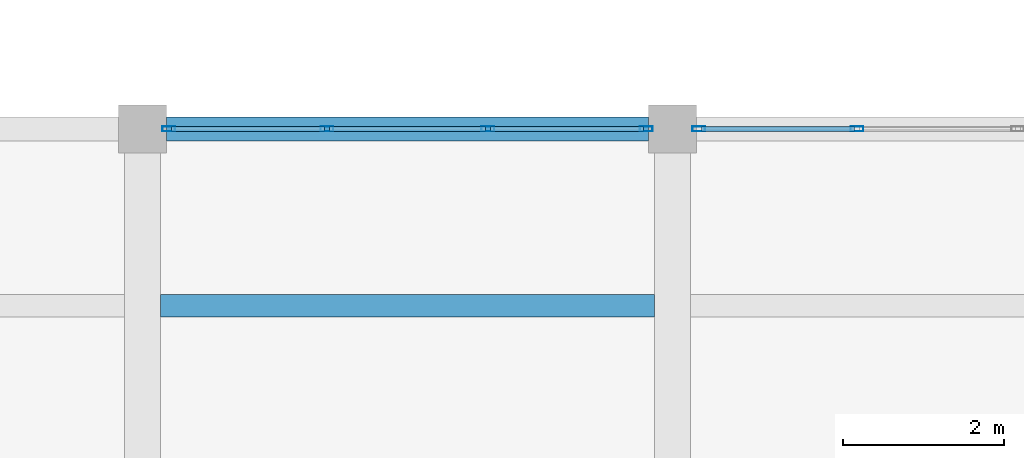
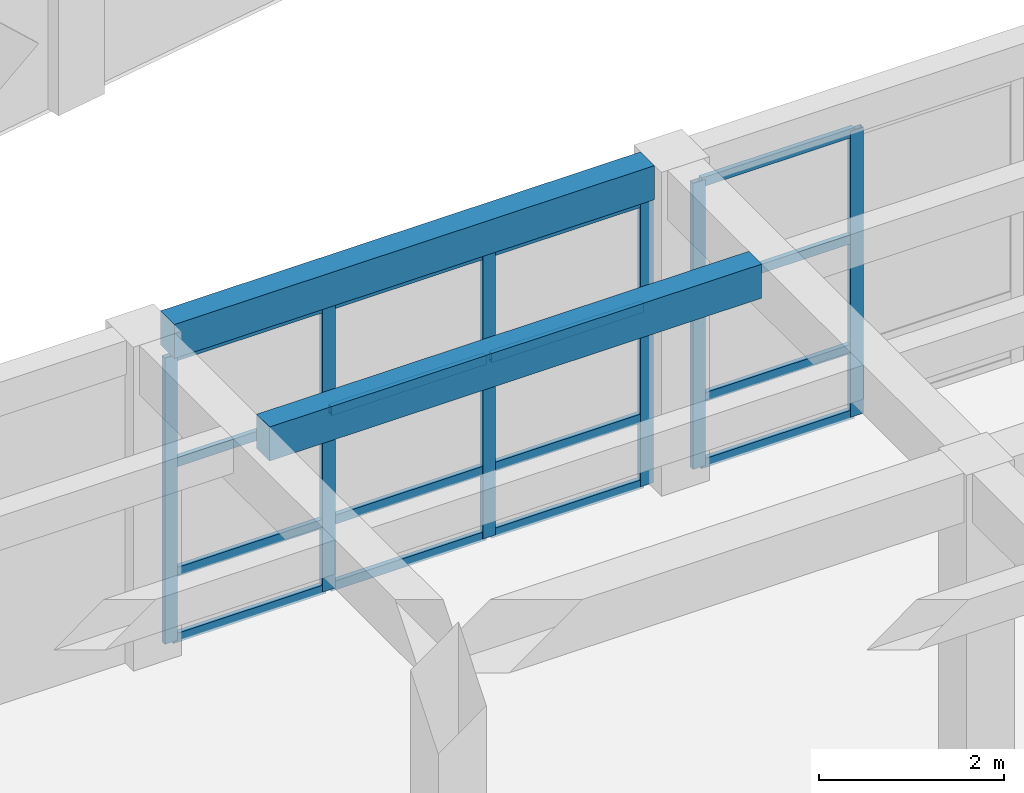
# One storey, part 6 of 67: 22 members, 2 beams, 2 elements without a shape of their own.
"""IFC4 building model written with IfcOpenShell, lengths in metres."""

from ifc_helpers import new_model, si_unit, direction, frame, origin, origin_2d, place, context, subcontext, project, spatial, rectangle, hollow_rectangle, extrude, material, layer, layer_set, material_profile, profile_set, type_object, element, aggregate, save


model = new_model("IFC4")

# Units and contexts
model_context = context("Model", 3, precision=1e-05, world=origin(), true_north=direction((0.0, 1.0)))
body_context = subcontext(model_context, "Body", "Model", "MODEL_VIEW")
ifc_project = project(units=[si_unit("LENGTHUNIT", "METRE"), si_unit("AREAUNIT", "SQUARE_METRE"), si_unit("VOLUMEUNIT", "CUBIC_METRE"), si_unit("PLANEANGLEUNIT", "RADIAN"), si_unit("MASSUNIT", "GRAM", prefix="KILO")], contexts=[model_context])

# Site, building, storey
site_placement = place(None, origin())
site = spatial("IfcSite", under=ifc_project, at=site_placement, CompositionType="ELEMENT")
building_placement = place(site_placement, origin())
building = spatial("IfcBuilding", under=site, at=building_placement, Name="Kharisveld Research Institute", CompositionType="ELEMENT")
storey_placement = place(building_placement, frame((0.0, 0.0, 9.60009765625)))
storey = spatial("IfcBuildingStorey", under=building, at=storey_placement, Name="L02", CompositionType="ELEMENT", Elevation=9.60009765625)

# Curtain wall, members
ifc_material_1 = material(Name="Thermally Broken Aluminium Curtain Wall", Category="aluminium")
ifc_layer_1 = layer(ifc_material_1, 0.159912109375)
ifc_layer_set_1 = layer_set([ifc_layer_1], Name="CW_SYS_05")
curtain_wall_type_1 = type_object("IfcCurtainWallType", Name="CW_SYS_05", PredefinedType="NOTDEFINED", material=ifc_layer_set_1)
curtain_wall_1_placement = place(storey_placement, origin())
curtain_wall_1 = element("IfcCurtainWall", 1, at=curtain_wall_1_placement, inside=storey, type_object=curtain_wall_type_1, Name="CW:V3:L02:N1", PredefinedType="NOTDEFINED")
ifc_material_2 = material(Name="Anodised Aluminium AW-6063-T6", Category="aluminium")
ifc_material_profile_1 = material_profile(ifc_material_2, hollow_rectangle(XDim=0.06494140625, YDim=0.159912109375, WallThickness=0.00390625, at=origin_2d()))
ifc_profile_set_1 = profile_set([ifc_material_profile_1], Name="Anodised Aluminium AW-6063-T6")
member_type_1 = type_object("IfcMemberType", Name="CW_MUL_160", PredefinedType="MULLION", material=ifc_profile_set_1)
member_1_placement = place(storey_placement, frame((7.527587890625, 26.60009765625, 0.0), z_axis=(0.0, 0.0, 1.0), x_axis=(0.0, 1.0, 0.0)))
member_1 = element("IfcMember", 2, at=member_1_placement, type_object=member_type_1, Name="CW-05 mullion 1", PredefinedType="MULLION", context=body_context, shape_type="SweptSolid", body=[
    extrude(hollow_rectangle(XDim=0.06494140625, YDim=0.159912109375, WallThickness=0.00390625, at=origin_2d()), origin(), (0.0, 0.0, 1.0), 3.77978515625),
])
member_2_placement = place(storey_placement, frame((9.498291015625, 26.60009765625, 0.0), z_axis=(0.0, 0.0, 1.0), x_axis=(0.0, 1.0, 0.0)))
member_2 = element("IfcMember", 3, at=member_2_placement, type_object=member_type_1, Name="CW-05 mullion 2", PredefinedType="MULLION", context=body_context, shape_type="SweptSolid", body=[
    extrude(hollow_rectangle(XDim=0.06494140625, YDim=0.159912109375, WallThickness=0.00390625, at=origin_2d()), origin(), (0.0, 0.0, 1.0), 3.77978515625),
])
member_3_placement = place(storey_placement, frame((11.501708984375, 26.60009765625, 0.0), z_axis=(0.0, 0.0, 1.0), x_axis=(0.0, 1.0, 0.0)))
member_3 = element("IfcMember", 4, at=member_3_placement, type_object=member_type_1, Name="CW-05 mullion 3", PredefinedType="MULLION", context=body_context, shape_type="SweptSolid", body=[
    extrude(hollow_rectangle(XDim=0.06494140625, YDim=0.159912109375, WallThickness=0.00390625, at=origin_2d()), origin(), (0.0, 0.0, 1.0), 3.77978515625),
])
member_4_placement = place(storey_placement, frame((13.472412109375, 26.60009765625, 0.0), z_axis=(0.0, 0.0, 1.0), x_axis=(0.0, 1.0, 0.0)))
member_4 = element("IfcMember", 5, at=member_4_placement, type_object=member_type_1, Name="CW-05 mullion 4", PredefinedType="MULLION", context=body_context, shape_type="SweptSolid", body=[
    extrude(hollow_rectangle(XDim=0.06494140625, YDim=0.159912109375, WallThickness=0.00390625, at=origin_2d()), origin(), (0.0, 0.0, 1.0), 3.77978515625),
])

ifc_material_3 = material(Name="Thermally Broken Aluminium Curtain Wall", Category="aluminium")
ifc_layer_2 = layer(ifc_material_3, 0.159912109375)
ifc_layer_set_2 = layer_set([ifc_layer_2], Name="CW_SYS_06")
curtain_wall_type_2 = type_object("IfcCurtainWallType", Name="CW_SYS_06", PredefinedType="NOTDEFINED", material=ifc_layer_set_2)
curtain_wall_2_placement = place(storey_placement, origin())
curtain_wall_2 = element("IfcCurtainWall", 6, at=curtain_wall_2_placement, inside=storey, type_object=curtain_wall_type_2, Name="CW:V3:L02:N2", PredefinedType="NOTDEFINED")
member_5_placement = place(storey_placement, frame((14.12744140625, 26.60009765625, 0.0), z_axis=(0.0, 0.0, 1.0), x_axis=(0.0, 1.0, 0.0)))
member_5 = element("IfcMember", 7, at=member_5_placement, type_object=member_type_1, Name="CW-06 mullion 1", PredefinedType="MULLION", context=body_context, shape_type="SweptSolid", body=[
    extrude(hollow_rectangle(XDim=0.06494140625, YDim=0.159912109375, WallThickness=0.00390625, at=origin_2d()), origin(), (0.0, 0.0, 1.0), 3.77978515625),
])
member_6_placement = place(storey_placement, frame((16.098388671875, 26.60009765625, 0.0), z_axis=(0.0, 0.0, 1.0), x_axis=(0.0, 1.0, 0.0)))
member_6 = element("IfcMember", 8, at=member_6_placement, type_object=member_type_1, Name="CW-06 mullion 2", PredefinedType="MULLION", context=body_context, shape_type="SweptSolid", body=[
    extrude(hollow_rectangle(XDim=0.06494140625, YDim=0.159912109375, WallThickness=0.00390625, at=origin_2d()), origin(), (0.0, 0.0, 1.0), 3.77978515625),
])

# Member
ifc_material_4 = material(Name="Anodised Aluminium AW-6063-T6", Category="aluminium")
ifc_material_profile_2 = material_profile(ifc_material_4, hollow_rectangle(XDim=0.06005859375, YDim=0.1201171875, WallThickness=0.00390625, at=origin_2d()))
ifc_profile_set_2 = profile_set([ifc_material_profile_2], Name="Anodised Aluminium AW-6063-T6")
member_type_2 = type_object("IfcMemberType", Name="CW_TRN_120", PredefinedType="USERDEFINED", material=ifc_profile_set_2)
member_7_placement = place(storey_placement, frame((7.56005859375, 26.60009765625, 0.02978515625), z_axis=(1.0, 0.0, 0.0), x_axis=(0.0, 1.0, 0.0)))
member_7 = element("IfcMember", 9, at=member_7_placement, type_object=member_type_2, Name="CW-05 transom 1.1", ObjectType="TRANSOM", PredefinedType="USERDEFINED", context=body_context, shape_type="SweptSolid", body=[
    extrude(hollow_rectangle(XDim=0.06005859375, YDim=0.1201171875, WallThickness=0.00390625, at=origin_2d()), origin(), (0.0, 0.0, 1.0), 1.90576171875),
])

member_8_placement = place(storey_placement, frame((7.56005859375, 26.60009765625, 0.89990234375), z_axis=(1.0, 0.0, 0.0), x_axis=(0.0, 1.0, 0.0)))
member_8 = element("IfcMember", 10, at=member_8_placement, type_object=member_type_2, Name="CW-05 transom 1.2", ObjectType="TRANSOM", PredefinedType="USERDEFINED", context=body_context, shape_type="SweptSolid", body=[
    extrude(hollow_rectangle(XDim=0.06005859375, YDim=0.1201171875, WallThickness=0.00390625, at=origin_2d()), origin(), (0.0, 0.0, 1.0), 1.90576171875),
])

member_9_placement = place(storey_placement, frame((7.56005859375, 26.60009765625, 2.349853515625), z_axis=(1.0, 0.0, 0.0), x_axis=(0.0, 1.0, 0.0)))
member_9 = element("IfcMember", 11, at=member_9_placement, type_object=member_type_2, Name="CW-05 transom 1.3", ObjectType="TRANSOM", PredefinedType="USERDEFINED", context=body_context, shape_type="SweptSolid", body=[
    extrude(hollow_rectangle(XDim=0.06005859375, YDim=0.1201171875, WallThickness=0.00390625, at=origin_2d()), origin(), (0.0, 0.0, 1.0), 1.90576171875),
])

member_10_placement = place(storey_placement, frame((7.56005859375, 26.60009765625, 3.75), z_axis=(1.0, 0.0, 0.0), x_axis=(0.0, 1.0, 0.0)))
member_10 = element("IfcMember", 12, at=member_10_placement, type_object=member_type_2, Name="CW-05 transom 1.4", ObjectType="TRANSOM", PredefinedType="USERDEFINED", context=body_context, shape_type="SweptSolid", body=[
    extrude(hollow_rectangle(XDim=0.06005859375, YDim=0.1201171875, WallThickness=0.00390625, at=origin_2d()), origin(), (0.0, 0.0, 1.0), 1.90576171875),
])

member_11_placement = place(storey_placement, frame((9.53076171875, 26.60009765625, 0.02978515625), z_axis=(1.0, 0.0, 0.0), x_axis=(0.0, 1.0, 0.0)))
member_11 = element("IfcMember", 13, at=member_11_placement, type_object=member_type_2, Name="CW-05 transom 2.1", ObjectType="TRANSOM", PredefinedType="USERDEFINED", context=body_context, shape_type="SweptSolid", body=[
    extrude(hollow_rectangle(XDim=0.06005859375, YDim=0.1201171875, WallThickness=0.00390625, at=origin_2d()), origin(), (0.0, 0.0, 1.0), 1.9384765625),
])

member_12_placement = place(storey_placement, frame((9.53076171875, 26.60009765625, 0.89990234375), z_axis=(1.0, 0.0, 0.0), x_axis=(0.0, 1.0, 0.0)))
member_12 = element("IfcMember", 14, at=member_12_placement, type_object=member_type_2, Name="CW-05 transom 2.2", ObjectType="TRANSOM", PredefinedType="USERDEFINED", context=body_context, shape_type="SweptSolid", body=[
    extrude(hollow_rectangle(XDim=0.06005859375, YDim=0.1201171875, WallThickness=0.00390625, at=origin_2d()), origin(), (0.0, 0.0, 1.0), 1.9384765625),
])

member_13_placement = place(storey_placement, frame((9.53076171875, 26.60009765625, 2.349853515625), z_axis=(1.0, 0.0, 0.0), x_axis=(0.0, 1.0, 0.0)))
member_13 = element("IfcMember", 15, at=member_13_placement, type_object=member_type_2, Name="CW-05 transom 2.3", ObjectType="TRANSOM", PredefinedType="USERDEFINED", context=body_context, shape_type="SweptSolid", body=[
    extrude(hollow_rectangle(XDim=0.06005859375, YDim=0.1201171875, WallThickness=0.00390625, at=origin_2d()), origin(), (0.0, 0.0, 1.0), 1.9384765625),
])

member_14_placement = place(storey_placement, frame((9.53076171875, 26.60009765625, 3.75), z_axis=(1.0, 0.0, 0.0), x_axis=(0.0, 1.0, 0.0)))
member_14 = element("IfcMember", 16, at=member_14_placement, type_object=member_type_2, Name="CW-05 transom 2.4", ObjectType="TRANSOM", PredefinedType="USERDEFINED", context=body_context, shape_type="SweptSolid", body=[
    extrude(hollow_rectangle(XDim=0.06005859375, YDim=0.1201171875, WallThickness=0.00390625, at=origin_2d()), origin(), (0.0, 0.0, 1.0), 1.9384765625),
])

member_15_placement = place(storey_placement, frame((11.5341796875, 26.60009765625, 0.02978515625), z_axis=(1.0, 0.0, 0.0), x_axis=(0.0, 1.0, 0.0)))
member_15 = element("IfcMember", 17, at=member_15_placement, type_object=member_type_2, Name="CW-05 transom 3.1", ObjectType="TRANSOM", PredefinedType="USERDEFINED", context=body_context, shape_type="SweptSolid", body=[
    extrude(hollow_rectangle(XDim=0.06005859375, YDim=0.1201171875, WallThickness=0.00390625, at=origin_2d()), origin(), (0.0, 0.0, 1.0), 1.90576171875),
])

member_16_placement = place(storey_placement, frame((11.5341796875, 26.60009765625, 0.89990234375), z_axis=(1.0, 0.0, 0.0), x_axis=(0.0, 1.0, 0.0)))
member_16 = element("IfcMember", 18, at=member_16_placement, type_object=member_type_2, Name="CW-05 transom 3.2", ObjectType="TRANSOM", PredefinedType="USERDEFINED", context=body_context, shape_type="SweptSolid", body=[
    extrude(hollow_rectangle(XDim=0.06005859375, YDim=0.1201171875, WallThickness=0.00390625, at=origin_2d()), origin(), (0.0, 0.0, 1.0), 1.90576171875),
])

member_17_placement = place(storey_placement, frame((11.5341796875, 26.60009765625, 2.349853515625), z_axis=(1.0, 0.0, 0.0), x_axis=(0.0, 1.0, 0.0)))
member_17 = element("IfcMember", 19, at=member_17_placement, type_object=member_type_2, Name="CW-05 transom 3.3", ObjectType="TRANSOM", PredefinedType="USERDEFINED", context=body_context, shape_type="SweptSolid", body=[
    extrude(hollow_rectangle(XDim=0.06005859375, YDim=0.1201171875, WallThickness=0.00390625, at=origin_2d()), origin(), (0.0, 0.0, 1.0), 1.90576171875),
])

member_18_placement = place(storey_placement, frame((11.5341796875, 26.60009765625, 3.75), z_axis=(1.0, 0.0, 0.0), x_axis=(0.0, 1.0, 0.0)))
member_18 = element("IfcMember", 20, at=member_18_placement, type_object=member_type_2, Name="CW-05 transom 3.4", ObjectType="TRANSOM", PredefinedType="USERDEFINED", context=body_context, shape_type="SweptSolid", body=[
    extrude(hollow_rectangle(XDim=0.06005859375, YDim=0.1201171875, WallThickness=0.00390625, at=origin_2d()), origin(), (0.0, 0.0, 1.0), 1.90576171875),
])

aggregate(curtain_wall_1, [member_1, member_2, member_3, member_4, member_7, member_8, member_9, member_10, member_11, member_12, member_13, member_14, member_15, member_16, member_17, member_18])

member_19_placement = place(storey_placement, frame((14.159912109375, 26.60009765625, 0.02978515625), z_axis=(1.0, 0.0, 0.0), x_axis=(0.0, 1.0, 0.0)))
member_19 = element("IfcMember", 21, at=member_19_placement, type_object=member_type_2, Name="CW-06 transom 1.1", ObjectType="TRANSOM", PredefinedType="USERDEFINED", context=body_context, shape_type="SweptSolid", body=[
    extrude(hollow_rectangle(XDim=0.06005859375, YDim=0.1201171875, WallThickness=0.00390625, at=origin_2d()), origin(), (0.0, 0.0, 1.0), 1.906005859375),
])

member_20_placement = place(storey_placement, frame((14.159912109375, 26.60009765625, 0.89990234375), z_axis=(1.0, 0.0, 0.0), x_axis=(0.0, 1.0, 0.0)))
member_20 = element("IfcMember", 22, at=member_20_placement, type_object=member_type_2, Name="CW-06 transom 1.2", ObjectType="TRANSOM", PredefinedType="USERDEFINED", context=body_context, shape_type="SweptSolid", body=[
    extrude(hollow_rectangle(XDim=0.06005859375, YDim=0.1201171875, WallThickness=0.00390625, at=origin_2d()), origin(), (0.0, 0.0, 1.0), 1.906005859375),
])

member_21_placement = place(storey_placement, frame((14.159912109375, 26.60009765625, 2.349853515625), z_axis=(1.0, 0.0, 0.0), x_axis=(0.0, 1.0, 0.0)))
member_21 = element("IfcMember", 23, at=member_21_placement, type_object=member_type_2, Name="CW-06 transom 1.3", ObjectType="TRANSOM", PredefinedType="USERDEFINED", context=body_context, shape_type="SweptSolid", body=[
    extrude(hollow_rectangle(XDim=0.06005859375, YDim=0.1201171875, WallThickness=0.00390625, at=origin_2d()), origin(), (0.0, 0.0, 1.0), 1.906005859375),
])

member_22_placement = place(storey_placement, frame((14.159912109375, 26.60009765625, 3.75), z_axis=(1.0, 0.0, 0.0), x_axis=(0.0, 1.0, 0.0)))
member_22 = element("IfcMember", 24, at=member_22_placement, type_object=member_type_2, Name="CW-06 transom 1.4", ObjectType="TRANSOM", PredefinedType="USERDEFINED", context=body_context, shape_type="SweptSolid", body=[
    extrude(hollow_rectangle(XDim=0.06005859375, YDim=0.1201171875, WallThickness=0.00390625, at=origin_2d()), origin(), (0.0, 0.0, 1.0), 1.906005859375),
])

aggregate(curtain_wall_2, [member_5, member_6, member_19, member_20, member_21, member_22])

# Beams
ifc_material_5 = material(Name="Concrete C40/50", Category="concrete")
ifc_material_profile_3 = material_profile(ifc_material_5, rectangle(XDim=0.300048828125, YDim=0.449951171875, at=origin_2d()))
ifc_profile_set_3 = profile_set([ifc_material_profile_3], Name="Concrete C40/50")
beam_type_1 = type_object("IfcBeamType", Name="SP_RC_300x450", PredefinedType="SPANDREL", material=ifc_profile_set_3)
beam_1_placement = place(storey_placement, frame((7.5, 26.60009765625, 4.054931640625), z_axis=(1.0, 0.0, 0.0), x_axis=(0.0, 1.0, 0.0)))
element("IfcBeam", 25, at=beam_1_placement, inside=storey, type_object=beam_type_1, Name="BM:V3:L02:U1_4", PredefinedType="SPANDREL", context=body_context, shape_type="SweptSolid", body=[
    extrude(rectangle(XDim=0.300048828125, YDim=0.449951171875, at=origin_2d()), origin(), (0.0, 0.0, 1.0), 6.0),
])
ifc_material_6 = material(Name="Concrete C40/50", Category="concrete")
ifc_material_profile_4 = material_profile(ifc_material_6, rectangle(XDim=0.280029296875, YDim=0.449951171875, at=origin_2d()))
ifc_profile_set_4 = profile_set([ifc_material_profile_4], Name="Concrete C40/50")
beam_type_2 = type_object("IfcBeamType", Name="WB_RC_280x450", PredefinedType="JOIST", material=ifc_profile_set_4)
beam_2_placement = place(storey_placement, frame((7.425048828125, 24.39990234375, 4.054931640625), z_axis=(1.0, 0.0, 0.0), x_axis=(0.0, 1.0, 0.0)))
element("IfcBeam", 26, at=beam_2_placement, inside=storey, type_object=beam_type_2, Name="BM:V3:L02:J_1_3_R2", PredefinedType="JOIST", context=body_context, shape_type="SweptSolid", body=[
    extrude(rectangle(XDim=0.280029296875, YDim=0.449951171875, at=origin_2d()), origin(), (0.0, 0.0, 1.0), 6.14990234375),
])

save(model, "model.ifc")
